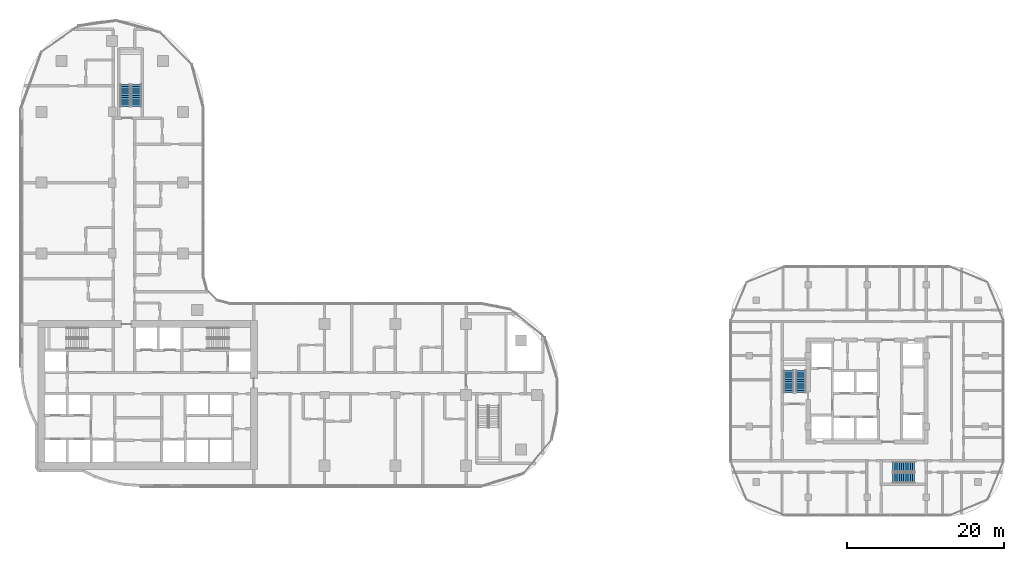
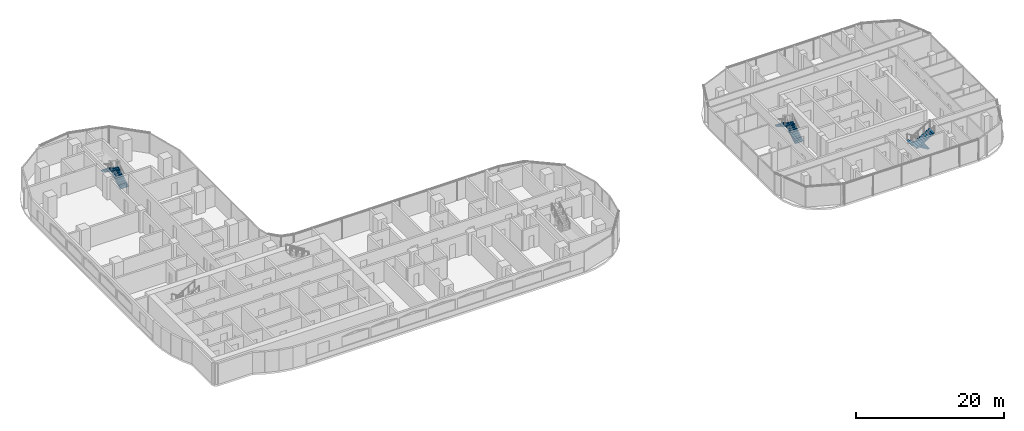
# One storey, part 27 of 34: 6 stair flights, 3 elements without a shape of their own.
"""IFC4 building model written with IfcOpenShell, lengths in metres."""

from ifc_helpers import new_model, si_unit, direction, frame, origin, place, context, subcontext, project, spatial, triangles, source, transform, mapped, material, type_object, element, aggregate, save


model = new_model("IFC4")

# Units and contexts
model_context = context("Model", 3, precision=1e-05, world=origin(), true_north=direction((0.0, 1.0)))
body_context = subcontext(model_context, "Body", "Model", "MODEL_VIEW")
ifc_project = project(units=[si_unit("LENGTHUNIT", "METRE"), si_unit("AREAUNIT", "SQUARE_METRE"), si_unit("VOLUMEUNIT", "CUBIC_METRE"), si_unit("PLANEANGLEUNIT", "RADIAN"), si_unit("MASSUNIT", "GRAM", prefix="KILO")], contexts=[model_context])

# Site, building, storey
site_placement = place(None, origin())
site = spatial("IfcSite", under=ifc_project, at=site_placement, CompositionType="ELEMENT")
building_placement = place(site_placement, origin())
building = spatial("IfcBuilding", under=site, at=building_placement, Name="Ogive Portal Towers", CompositionType="ELEMENT")
storey_placement = place(building_placement, frame((0.0, 0.0, 66.800048828125)))
storey = spatial("IfcBuildingStorey", under=building, at=storey_placement, Name="L15", CompositionType="ELEMENT", Elevation=66.800048828125)

# Stair, stair flights
ifc_material = material(Name="Concrete C40/50", Category="concrete")
stair_type = type_object("IfcStairType", Name="INT-STAIR", PredefinedType="HALF_TURN_STAIR", material=ifc_material)
stair_1_placement = place(storey_placement, origin())
stair_1 = element("IfcStair", 1, at=stair_1_placement, inside=storey, type_object=stair_type, Name="L15 Exit Stair ST-A3", PredefinedType="HALF_TURN_STAIR")
stair_flight_type = type_object("IfcStairFlightType", Name="INT-FLIGHT", PredefinedType="STRAIGHT", material=ifc_material)
shared_shape = source(origin(), body_context, "Body", "Tessellation", [
    triangles([(0.0, -0.650146484375, 0.0), (0.0, -0.376220703125, 0.0), (0.0, -0.192626953125, 0.0), (0.0, -0.081298828125, 0.0), (0.0, -0.024169921875, 0.0), (0.0, -0.003173828125, 0.0), (0.0, 0.0, 0.0), (0.0, 0.0029296875, 0.0), (0.0, 0.02392578125, 0.0), (0.0, 0.0810546875, 0.0), (0.0, 0.1923828125, 0.0), (0.0, 0.3759765625, 0.0), (0.0, 0.64990234375, 0.0), (0.0, -0.650146484375, 0.168212890625), (0.0, -0.376220703125, 0.168212890625), (0.0, -0.192626953125, 0.168212890625), (0.0, -0.081298828125, 0.168212890625), (0.0, -0.024169921875, 0.168212890625), (0.0, -0.003173828125, 0.168212890625), (0.0, 0.0, 0.168212890625), (0.0, 0.0029296875, 0.168212890625), (0.0, 0.02392578125, 0.168212890625), (0.0, 0.0810546875, 0.168212890625), (0.0, 0.1923828125, 0.168212890625), (0.0, 0.3759765625, 0.168212890625), (0.0, 0.64990234375, 0.168212890625), (0.280029296875, -0.650146484375, 0.168212890625), (0.280029296875, -0.376220703125, 0.168212890625), (0.280029296875, -0.192626953125, 0.168212890625), (0.280029296875, -0.081298828125, 0.168212890625), (0.280029296875, -0.024169921875, 0.168212890625), (0.280029296875, -0.003173828125, 0.168212890625), (0.280029296875, 0.0, 0.168212890625), (0.280029296875, 0.0029296875, 0.168212890625), (0.280029296875, 0.02392578125, 0.168212890625), (0.280029296875, 0.0810546875, 0.168212890625), (0.280029296875, 0.1923828125, 0.168212890625), (0.280029296875, 0.3759765625, 0.168212890625), (0.280029296875, 0.64990234375, 0.168212890625), (0.280029296875, -0.650146484375, 0.33642578125), (0.280029296875, -0.376220703125, 0.33642578125), (0.280029296875, -0.192626953125, 0.33642578125), (0.280029296875, -0.081298828125, 0.33642578125), (0.280029296875, -0.024169921875, 0.33642578125), (0.280029296875, -0.003173828125, 0.33642578125), (0.280029296875, 0.0, 0.33642578125), (0.280029296875, 0.0029296875, 0.33642578125), (0.280029296875, 0.02392578125, 0.33642578125), (0.280029296875, 0.0810546875, 0.33642578125), (0.280029296875, 0.1923828125, 0.33642578125), (0.280029296875, 0.3759765625, 0.33642578125), (0.280029296875, 0.64990234375, 0.33642578125), (0.56005859375, -0.650146484375, 0.33642578125), (0.56005859375, -0.376220703125, 0.33642578125), (0.56005859375, -0.192626953125, 0.33642578125), (0.56005859375, -0.081298828125, 0.33642578125), (0.56005859375, -0.024169921875, 0.33642578125), (0.56005859375, -0.003173828125, 0.33642578125), (0.56005859375, 0.0, 0.33642578125), (0.56005859375, 0.0029296875, 0.33642578125), (0.56005859375, 0.02392578125, 0.33642578125), (0.56005859375, 0.0810546875, 0.33642578125), (0.56005859375, 0.1923828125, 0.33642578125), (0.56005859375, 0.3759765625, 0.33642578125), (0.56005859375, 0.64990234375, 0.33642578125), (0.56005859375, -0.650146484375, 0.504638671875), (0.56005859375, -0.376220703125, 0.504638671875), (0.56005859375, -0.192626953125, 0.504638671875), (0.56005859375, -0.081298828125, 0.504638671875), (0.56005859375, -0.024169921875, 0.504638671875), (0.56005859375, -0.003173828125, 0.504638671875), (0.56005859375, 0.0, 0.504638671875), (0.56005859375, 0.0029296875, 0.504638671875), (0.56005859375, 0.02392578125, 0.504638671875), (0.56005859375, 0.0810546875, 0.504638671875), (0.56005859375, 0.1923828125, 0.504638671875), (0.56005859375, 0.3759765625, 0.504638671875), (0.56005859375, 0.64990234375, 0.504638671875), (0.840087890625, -0.650146484375, 0.504638671875), (0.840087890625, -0.376220703125, 0.504638671875), (0.840087890625, -0.192626953125, 0.504638671875), (0.840087890625, -0.081298828125, 0.504638671875), (0.840087890625, -0.024169921875, 0.504638671875), (0.840087890625, -0.003173828125, 0.504638671875), (0.840087890625, 0.0, 0.504638671875), (0.840087890625, 0.0029296875, 0.504638671875), (0.840087890625, 0.02392578125, 0.504638671875), (0.840087890625, 0.0810546875, 0.504638671875), (0.840087890625, 0.1923828125, 0.504638671875), (0.840087890625, 0.3759765625, 0.504638671875), (0.840087890625, 0.64990234375, 0.504638671875), (0.840087890625, -0.650146484375, 0.672607421875), (0.840087890625, -0.376220703125, 0.672607421875), (0.840087890625, -0.192626953125, 0.672607421875), (0.840087890625, -0.081298828125, 0.672607421875), (0.840087890625, -0.024169921875, 0.672607421875), (0.840087890625, -0.003173828125, 0.672607421875), (0.840087890625, 0.0, 0.672607421875), (0.840087890625, 0.0029296875, 0.672607421875), (0.840087890625, 0.02392578125, 0.672607421875), (0.840087890625, 0.0810546875, 0.672607421875), (0.840087890625, 0.1923828125, 0.672607421875), (0.840087890625, 0.3759765625, 0.672607421875), (0.840087890625, 0.64990234375, 0.672607421875), (1.1201171875, -0.650146484375, 0.672607421875), (1.1201171875, -0.376220703125, 0.672607421875), (1.1201171875, -0.192626953125, 0.672607421875), (1.1201171875, -0.081298828125, 0.672607421875), (1.1201171875, -0.024169921875, 0.672607421875), (1.1201171875, -0.003173828125, 0.672607421875), (1.1201171875, 0.0, 0.672607421875), (1.1201171875, 0.0029296875, 0.672607421875), (1.1201171875, 0.02392578125, 0.672607421875), (1.1201171875, 0.0810546875, 0.672607421875), (1.1201171875, 0.1923828125, 0.672607421875), (1.1201171875, 0.3759765625, 0.672607421875), (1.1201171875, 0.64990234375, 0.672607421875), (1.1201171875, -0.650146484375, 0.8408203125), (1.1201171875, -0.376220703125, 0.8408203125), (1.1201171875, -0.192626953125, 0.8408203125), (1.1201171875, -0.081298828125, 0.8408203125), (1.1201171875, -0.024169921875, 0.8408203125), (1.1201171875, -0.003173828125, 0.8408203125), (1.1201171875, 0.0, 0.8408203125), (1.1201171875, 0.0029296875, 0.8408203125), (1.1201171875, 0.02392578125, 0.8408203125), (1.1201171875, 0.0810546875, 0.8408203125), (1.1201171875, 0.1923828125, 0.8408203125), (1.1201171875, 0.3759765625, 0.8408203125), (1.1201171875, 0.64990234375, 0.8408203125), (1.39990234375, -0.650146484375, 0.8408203125), (1.39990234375, -0.376220703125, 0.8408203125), (1.39990234375, -0.192626953125, 0.8408203125), (1.39990234375, -0.081298828125, 0.8408203125), (1.39990234375, -0.024169921875, 0.8408203125), (1.39990234375, -0.003173828125, 0.8408203125), (1.39990234375, 0.0, 0.8408203125), (1.39990234375, 0.0029296875, 0.8408203125), (1.39990234375, 0.02392578125, 0.8408203125), (1.39990234375, 0.0810546875, 0.8408203125), (1.39990234375, 0.1923828125, 0.8408203125), (1.39990234375, 0.3759765625, 0.8408203125), (1.39990234375, 0.64990234375, 0.8408203125), (1.39990234375, -0.650146484375, 1.009033203125), (1.39990234375, -0.376220703125, 1.009033203125), (1.39990234375, -0.192626953125, 1.009033203125), (1.39990234375, -0.081298828125, 1.009033203125), (1.39990234375, -0.024169921875, 1.009033203125), (1.39990234375, -0.003173828125, 1.009033203125), (1.39990234375, 0.0, 1.009033203125), (1.39990234375, 0.0029296875, 1.009033203125), (1.39990234375, 0.02392578125, 1.009033203125), (1.39990234375, 0.0810546875, 1.009033203125), (1.39990234375, 0.1923828125, 1.009033203125), (1.39990234375, 0.3759765625, 1.009033203125), (1.39990234375, 0.64990234375, 1.009033203125), (1.679931640625, -0.650146484375, 1.009033203125), (1.679931640625, -0.376220703125, 1.009033203125), (1.679931640625, -0.192626953125, 1.009033203125), (1.679931640625, -0.081298828125, 1.009033203125), (1.679931640625, -0.024169921875, 1.009033203125), (1.679931640625, -0.003173828125, 1.009033203125), (1.679931640625, 0.0, 1.009033203125), (1.679931640625, 0.0029296875, 1.009033203125), (1.679931640625, 0.02392578125, 1.009033203125), (1.679931640625, 0.0810546875, 1.009033203125), (1.679931640625, 0.1923828125, 1.009033203125), (1.679931640625, 0.3759765625, 1.009033203125), (1.679931640625, 0.64990234375, 1.009033203125), (1.679931640625, -0.650146484375, 1.17724609375), (1.679931640625, -0.376220703125, 1.17724609375), (1.679931640625, -0.192626953125, 1.17724609375), (1.679931640625, -0.081298828125, 1.17724609375), (1.679931640625, -0.024169921875, 1.17724609375), (1.679931640625, -0.003173828125, 1.17724609375), (1.679931640625, 0.0, 1.17724609375), (1.679931640625, 0.0029296875, 1.17724609375), (1.679931640625, 0.02392578125, 1.17724609375), (1.679931640625, 0.0810546875, 1.17724609375), (1.679931640625, 0.1923828125, 1.17724609375), (1.679931640625, 0.3759765625, 1.17724609375), (1.679931640625, 0.64990234375, 1.17724609375), (1.9599609375, -0.650146484375, 1.17724609375), (1.9599609375, -0.376220703125, 1.17724609375), (1.9599609375, -0.192626953125, 1.17724609375), (1.9599609375, -0.081298828125, 1.17724609375), (1.9599609375, -0.024169921875, 1.17724609375), (1.9599609375, -0.003173828125, 1.17724609375), (1.9599609375, 0.0, 1.17724609375), (1.9599609375, 0.0029296875, 1.17724609375), (1.9599609375, 0.02392578125, 1.17724609375), (1.9599609375, 0.0810546875, 1.17724609375), (1.9599609375, 0.1923828125, 1.17724609375), (1.9599609375, 0.3759765625, 1.17724609375), (1.9599609375, 0.64990234375, 1.17724609375), (1.9599609375, -0.650146484375, 1.345458984375), (1.9599609375, -0.376220703125, 1.345458984375), (1.9599609375, -0.192626953125, 1.345458984375), (1.9599609375, -0.081298828125, 1.345458984375), (1.9599609375, -0.024169921875, 1.345458984375), (1.9599609375, -0.003173828125, 1.345458984375), (1.9599609375, 0.0, 1.345458984375), (1.9599609375, 0.0029296875, 1.345458984375), (1.9599609375, 0.02392578125, 1.345458984375), (1.9599609375, 0.0810546875, 1.345458984375), (1.9599609375, 0.1923828125, 1.345458984375), (1.9599609375, 0.3759765625, 1.345458984375), (1.9599609375, 0.64990234375, 1.345458984375), (2.239990234375, -0.650146484375, 1.345458984375), (2.239990234375, -0.376220703125, 1.345458984375), (2.239990234375, -0.192626953125, 1.345458984375), (2.239990234375, -0.081298828125, 1.345458984375), (2.239990234375, -0.024169921875, 1.345458984375), (2.239990234375, -0.003173828125, 1.345458984375), (2.239990234375, 0.0, 1.345458984375), (2.239990234375, 0.0029296875, 1.345458984375), (2.239990234375, 0.02392578125, 1.345458984375), (2.239990234375, 0.0810546875, 1.345458984375), (2.239990234375, 0.1923828125, 1.345458984375), (2.239990234375, 0.3759765625, 1.345458984375), (2.239990234375, 0.64990234375, 1.345458984375), (2.239990234375, -0.650146484375, 1.513671875), (2.239990234375, -0.376220703125, 1.513671875), (2.239990234375, -0.192626953125, 1.513671875), (2.239990234375, -0.081298828125, 1.513671875), (2.239990234375, -0.024169921875, 1.513671875), (2.239990234375, -0.003173828125, 1.513671875), (2.239990234375, 0.0, 1.513671875), (2.239990234375, 0.0029296875, 1.513671875), (2.239990234375, 0.02392578125, 1.513671875), (2.239990234375, 0.0810546875, 1.513671875), (2.239990234375, 0.1923828125, 1.513671875), (2.239990234375, 0.3759765625, 1.513671875), (2.239990234375, 0.64990234375, 1.513671875), (2.52001953125, -0.650146484375, 1.513671875), (2.52001953125, -0.376220703125, 1.513671875), (2.52001953125, -0.192626953125, 1.513671875), (2.52001953125, -0.081298828125, 1.513671875), (2.52001953125, -0.024169921875, 1.513671875), (2.52001953125, -0.003173828125, 1.513671875), (2.52001953125, 0.0, 1.513671875), (2.52001953125, 0.0029296875, 1.513671875), (2.52001953125, 0.02392578125, 1.513671875), (2.52001953125, 0.0810546875, 1.513671875), (2.52001953125, 0.1923828125, 1.513671875), (2.52001953125, 0.3759765625, 1.513671875), (2.52001953125, 0.64990234375, 1.513671875), (2.52001953125, -0.650146484375, 1.681884765625), (2.52001953125, -0.376220703125, 1.681884765625), (2.52001953125, -0.192626953125, 1.681884765625), (2.52001953125, -0.081298828125, 1.681884765625), (2.52001953125, -0.024169921875, 1.681884765625), (2.52001953125, -0.003173828125, 1.681884765625), (2.52001953125, 0.0, 1.681884765625), (2.52001953125, 0.0029296875, 1.681884765625), (2.52001953125, 0.02392578125, 1.681884765625), (2.52001953125, 0.0810546875, 1.681884765625), (2.52001953125, 0.1923828125, 1.681884765625), (2.52001953125, 0.3759765625, 1.681884765625), (2.52001953125, 0.64990234375, 1.681884765625), (2.800048828125, -0.650146484375, 1.681884765625), (2.800048828125, -0.376220703125, 1.681884765625), (2.800048828125, -0.192626953125, 1.681884765625), (2.800048828125, -0.081298828125, 1.681884765625), (2.800048828125, -0.024169921875, 1.681884765625), (2.800048828125, -0.003173828125, 1.681884765625), (2.800048828125, 0.0, 1.681884765625), (2.800048828125, 0.0029296875, 1.681884765625), (2.800048828125, 0.02392578125, 1.681884765625), (2.800048828125, 0.0810546875, 1.681884765625), (2.800048828125, 0.1923828125, 1.681884765625), (2.800048828125, 0.3759765625, 1.681884765625), (2.800048828125, 0.64990234375, 1.681884765625), (2.800048828125, -0.650146484375, 1.5068359375), (2.800048828125, -0.376220703125, 1.5068359375), (2.800048828125, -0.192626953125, 1.5068359375), (2.800048828125, -0.081298828125, 1.5068359375), (2.800048828125, -0.024169921875, 1.5068359375), (2.800048828125, -0.003173828125, 1.5068359375), (2.800048828125, 0.0, 1.5068359375), (2.800048828125, 0.0029296875, 1.5068359375), (2.800048828125, 0.02392578125, 1.5068359375), (2.800048828125, 0.0810546875, 1.5068359375), (2.800048828125, 0.1923828125, 1.5068359375), (2.800048828125, 0.3759765625, 1.5068359375), (2.800048828125, 0.64990234375, 1.5068359375), (0.291015625, -0.650146484375, 0.0), (0.291015625, -0.376220703125, 0.0), (0.291015625, -0.192626953125, 0.0), (0.291015625, -0.081298828125, 0.0), (0.291015625, -0.024169921875, 0.0), (0.291015625, -0.003173828125, 0.0), (0.291015625, 0.0, 0.0), (0.291015625, 0.0029296875, 0.0), (0.291015625, 0.02392578125, 0.0), (0.291015625, 0.0810546875, 0.0), (0.291015625, 0.1923828125, 0.0), (0.291015625, 0.3759765625, 0.0), (0.291015625, 0.64990234375, 0.0)], [[1, 14, 15], [1, 15, 2], [2, 15, 16], [2, 16, 3], [3, 16, 17], [3, 17, 4], [4, 17, 18], [4, 18, 5], [5, 18, 19], [5, 19, 6], [6, 19, 20], [6, 20, 7], [7, 20, 21], [7, 21, 8], [8, 21, 22], [8, 22, 9], [9, 22, 23], [9, 23, 10], [10, 23, 24], [10, 24, 11], [11, 24, 25], [11, 25, 12], [12, 25, 26], [12, 26, 13], [14, 27, 28], [14, 28, 15], [15, 28, 29], [15, 29, 16], [16, 29, 30], [16, 30, 17], [17, 30, 31], [17, 31, 18], [18, 31, 32], [18, 32, 19], [19, 32, 33], [19, 33, 20], [20, 33, 34], [20, 34, 21], [21, 34, 35], [21, 35, 22], [22, 35, 36], [22, 36, 23], [23, 36, 37], [23, 37, 24], [24, 37, 38], [24, 38, 25], [25, 38, 39], [25, 39, 26], [27, 40, 41], [27, 41, 28], [28, 41, 42], [28, 42, 29], [29, 42, 43], [29, 43, 30], [30, 43, 44], [30, 44, 31], [31, 44, 45], [31, 45, 32], [32, 45, 46], [32, 46, 33], [33, 46, 47], [33, 47, 34], [34, 47, 48], [34, 48, 35], [35, 48, 49], [35, 49, 36], [36, 49, 50], [36, 50, 37], [37, 50, 51], [37, 51, 38], [38, 51, 52], [38, 52, 39], [40, 53, 54], [40, 54, 41], [41, 54, 55], [41, 55, 42], [42, 55, 56], [42, 56, 43], [43, 56, 57], [43, 57, 44], [44, 57, 58], [44, 58, 45], [45, 58, 59], [45, 59, 46], [46, 59, 60], [46, 60, 47], [47, 60, 61], [47, 61, 48], [48, 61, 62], [48, 62, 49], [49, 62, 63], [49, 63, 50], [50, 63, 64], [50, 64, 51], [51, 64, 65], [51, 65, 52], [53, 66, 67], [53, 67, 54], [54, 67, 68], [54, 68, 55], [55, 68, 69], [55, 69, 56], [56, 69, 70], [56, 70, 57], [57, 70, 71], [57, 71, 58], [58, 71, 72], [58, 72, 59], [59, 72, 73], [59, 73, 60], [60, 73, 74], [60, 74, 61], [61, 74, 75], [61, 75, 62], [62, 75, 76], [62, 76, 63], [63, 76, 77], [63, 77, 64], [64, 77, 78], [64, 78, 65], [66, 79, 80], [66, 80, 67], [67, 80, 81], [67, 81, 68], [68, 81, 82], [68, 82, 69], [69, 82, 83], [69, 83, 70], [70, 83, 84], [70, 84, 71], [71, 84, 85], [71, 85, 72], [72, 85, 86], [72, 86, 73], [73, 86, 87], [73, 87, 74], [74, 87, 88], [74, 88, 75], [75, 88, 89], [75, 89, 76], [76, 89, 90], [76, 90, 77], [77, 90, 91], [77, 91, 78], [79, 92, 93], [79, 93, 80], [80, 93, 94], [80, 94, 81], [81, 94, 95], [81, 95, 82], [82, 95, 96], [82, 96, 83], [83, 96, 97], [83, 97, 84], [84, 97, 98], [84, 98, 85], [85, 98, 99], [85, 99, 86], [86, 99, 100], [86, 100, 87], [87, 100, 101], [87, 101, 88], [88, 101, 102], [88, 102, 89], [89, 102, 103], [89, 103, 90], [90, 103, 104], [90, 104, 91], [92, 105, 106], [92, 106, 93], [93, 106, 107], [93, 107, 94], [94, 107, 108], [94, 108, 95], [95, 108, 109], [95, 109, 96], [96, 109, 110], [96, 110, 97], [97, 110, 111], [97, 111, 98], [98, 111, 112], [98, 112, 99], [99, 112, 113], [99, 113, 100], [100, 113, 114], [100, 114, 101], [101, 114, 115], [101, 115, 102], [102, 115, 116], [102, 116, 103], [103, 116, 117], [103, 117, 104], [105, 118, 119], [105, 119, 106], [106, 119, 120], [106, 120, 107], [107, 120, 121], [107, 121, 108], [108, 121, 122], [108, 122, 109], [109, 122, 123], [109, 123, 110], [110, 123, 124], [110, 124, 111], [111, 124, 125], [111, 125, 112], [112, 125, 126], [112, 126, 113], [113, 126, 127], [113, 127, 114], [114, 127, 128], [114, 128, 115], [115, 128, 129], [115, 129, 116], [116, 129, 130], [116, 130, 117], [118, 131, 132], [118, 132, 119], [119, 132, 133], [119, 133, 120], [120, 133, 134], [120, 134, 121], [121, 134, 135], [121, 135, 122], [122, 135, 136], [122, 136, 123], [123, 136, 137], [123, 137, 124], [124, 137, 138], [124, 138, 125], [125, 138, 139], [125, 139, 126], [126, 139, 140], [126, 140, 127], [127, 140, 141], [127, 141, 128], [128, 141, 142], [128, 142, 129], [129, 142, 143], [129, 143, 130], [131, 144, 145], [131, 145, 132], [132, 145, 146], [132, 146, 133], [133, 146, 147], [133, 147, 134], [134, 147, 148], [134, 148, 135], [135, 148, 149], [135, 149, 136], [136, 149, 150], [136, 150, 137], [137, 150, 151], [137, 151, 138], [138, 151, 152], [138, 152, 139], [139, 152, 153], [139, 153, 140], [140, 153, 154], [140, 154, 141], [141, 154, 155], [141, 155, 142], [142, 155, 156], [142, 156, 143], [144, 157, 158], [144, 158, 145], [145, 158, 159], [145, 159, 146], [146, 159, 160], [146, 160, 147], [147, 160, 161], [147, 161, 148], [148, 161, 162], [148, 162, 149], [149, 162, 163], [149, 163, 150], [150, 163, 164], [150, 164, 151], [151, 164, 165], [151, 165, 152], [152, 165, 166], [152, 166, 153], [153, 166, 167], [153, 167, 154], [154, 167, 168], [154, 168, 155], [155, 168, 169], [155, 169, 156], [157, 170, 171], [157, 171, 158], [158, 171, 172], [158, 172, 159], [159, 172, 173], [159, 173, 160], [160, 173, 174], [160, 174, 161], [161, 174, 175], [161, 175, 162], [162, 175, 176], [162, 176, 163], [163, 176, 177], [163, 177, 164], [164, 177, 178], [164, 178, 165], [165, 178, 179], [165, 179, 166], [166, 179, 180], [166, 180, 167], [167, 180, 181], [167, 181, 168], [168, 181, 182], [168, 182, 169], [170, 183, 184], [170, 184, 171], [171, 184, 185], [171, 185, 172], [172, 185, 186], [172, 186, 173], [173, 186, 187], [173, 187, 174], [174, 187, 188], [174, 188, 175], [175, 188, 189], [175, 189, 176], [176, 189, 190], [176, 190, 177], [177, 190, 191], [177, 191, 178], [178, 191, 192], [178, 192, 179], [179, 192, 193], [179, 193, 180], [180, 193, 194], [180, 194, 181], [181, 194, 195], [181, 195, 182], [183, 196, 197], [183, 197, 184], [184, 197, 198], [184, 198, 185], [185, 198, 199], [185, 199, 186], [186, 199, 200], [186, 200, 187], [187, 200, 201], [187, 201, 188], [188, 201, 202], [188, 202, 189], [189, 202, 203], [189, 203, 190], [190, 203, 204], [190, 204, 191], [191, 204, 205], [191, 205, 192], [192, 205, 206], [192, 206, 193], [193, 206, 207], [193, 207, 194], [194, 207, 208], [194, 208, 195], [196, 209, 210], [196, 210, 197], [197, 210, 211], [197, 211, 198], [198, 211, 212], [198, 212, 199], [199, 212, 213], [199, 213, 200], [200, 213, 214], [200, 214, 201], [201, 214, 215], [201, 215, 202], [202, 215, 216], [202, 216, 203], [203, 216, 217], [203, 217, 204], [204, 217, 218], [204, 218, 205], [205, 218, 219], [205, 219, 206], [206, 219, 220], [206, 220, 207], [207, 220, 221], [207, 221, 208], [209, 222, 223], [209, 223, 210], [210, 223, 224], [210, 224, 211], [211, 224, 225], [211, 225, 212], [212, 225, 226], [212, 226, 213], [213, 226, 227], [213, 227, 214], [214, 227, 228], [214, 228, 215], [215, 228, 229], [215, 229, 216], [216, 229, 230], [216, 230, 217], [217, 230, 231], [217, 231, 218], [218, 231, 232], [218, 232, 219], [219, 232, 233], [219, 233, 220], [220, 233, 234], [220, 234, 221], [222, 235, 236], [222, 236, 223], [223, 236, 237], [223, 237, 224], [224, 237, 238], [224, 238, 225], [225, 238, 239], [225, 239, 226], [226, 239, 240], [226, 240, 227], [227, 240, 241], [227, 241, 228], [228, 241, 242], [228, 242, 229], [229, 242, 243], [229, 243, 230], [230, 243, 244], [230, 244, 231], [231, 244, 245], [231, 245, 232], [232, 245, 246], [232, 246, 233], [233, 246, 247], [233, 247, 234], [235, 248, 249], [235, 249, 236], [236, 249, 250], [236, 250, 237], [237, 250, 251], [237, 251, 238], [238, 251, 252], [238, 252, 239], [239, 252, 253], [239, 253, 240], [240, 253, 254], [240, 254, 241], [241, 254, 255], [241, 255, 242], [242, 255, 256], [242, 256, 243], [243, 256, 257], [243, 257, 244], [244, 257, 258], [244, 258, 245], [245, 258, 259], [245, 259, 246], [246, 259, 260], [246, 260, 247], [248, 261, 262], [248, 262, 249], [249, 262, 263], [249, 263, 250], [250, 263, 264], [250, 264, 251], [251, 264, 265], [251, 265, 252], [252, 265, 266], [252, 266, 253], [253, 266, 267], [253, 267, 254], [254, 267, 268], [254, 268, 255], [255, 268, 269], [255, 269, 256], [256, 269, 270], [256, 270, 257], [257, 270, 271], [257, 271, 258], [258, 271, 272], [258, 272, 259], [259, 272, 273], [259, 273, 260], [261, 274, 275], [261, 275, 262], [262, 275, 276], [262, 276, 263], [263, 276, 277], [263, 277, 264], [264, 277, 278], [264, 278, 265], [265, 278, 279], [265, 279, 266], [266, 279, 280], [266, 280, 267], [267, 280, 281], [267, 281, 268], [268, 281, 282], [268, 282, 269], [269, 282, 283], [269, 283, 270], [270, 283, 284], [270, 284, 271], [271, 284, 285], [271, 285, 272], [272, 285, 286], [272, 286, 273], [274, 287, 288], [274, 288, 275], [275, 288, 289], [275, 289, 276], [276, 289, 290], [276, 290, 277], [277, 290, 291], [277, 291, 278], [278, 291, 292], [278, 292, 279], [279, 292, 293], [279, 293, 280], [280, 293, 294], [280, 294, 281], [281, 294, 295], [281, 295, 282], [282, 295, 296], [282, 296, 283], [283, 296, 297], [283, 297, 284], [284, 297, 298], [284, 298, 285], [285, 298, 299], [285, 299, 286], [287, 1, 2], [287, 2, 288], [288, 2, 3], [288, 3, 289], [289, 3, 4], [289, 4, 290], [290, 4, 5], [290, 5, 291], [291, 5, 6], [291, 6, 292], [292, 6, 7], [292, 7, 293], [293, 7, 8], [293, 8, 294], [294, 8, 9], [294, 9, 295], [295, 9, 10], [295, 10, 296], [296, 10, 11], [296, 11, 297], [297, 11, 12], [297, 12, 298], [298, 12, 13], [298, 13, 299], [1, 287, 274], [13, 286, 299], [274, 261, 248], [286, 260, 273], [274, 248, 235], [286, 247, 260], [274, 235, 222], [286, 234, 247], [274, 222, 209], [286, 221, 234], [209, 196, 183], [221, 195, 208], [274, 209, 183], [286, 195, 221], [183, 170, 157], [195, 169, 182], [274, 183, 157], [286, 169, 195], [157, 144, 131], [169, 143, 156], [274, 157, 131], [286, 143, 169], [131, 118, 105], [143, 117, 130], [274, 131, 105], [286, 117, 143], [1, 274, 105], [13, 117, 286], [105, 92, 79], [117, 91, 104], [79, 66, 53], [91, 65, 78], [105, 79, 53], [117, 65, 91], [53, 40, 27], [65, 39, 52], [105, 53, 27], [117, 39, 65], [1, 105, 27], [13, 39, 117], [27, 14, 1], [39, 13, 26]], closed=True),
])
stair_flight_1_placement = place(storey_placement, frame((43.550048828125, 67.199951171875, 0.0), z_axis=(0.0, 0.0, 1.0), x_axis=(0.0, 1.0, 0.0)))
stair_flight_1 = element("IfcStairFlight", 2, at=stair_flight_1_placement, type_object=stair_flight_type, Name="ST-A3 flight 1", NumberOfRisers=11, NumberOfTreads=10, PredefinedType="STRAIGHT", RiserHeight=0.168181818, TreadLength=0.28, context=body_context, shape_type="MappedRepresentation", body=[
    mapped(shared_shape, transform((0.0, 0.0, 0.0), scale=1.0)),
])
stair_flight_2_placement = place(storey_placement, frame((42.14990234375, 70.0, 1.849853515625), z_axis=(0.0, 0.0, 1.0), x_axis=(0.0, -1.0, 0.0)))
stair_flight_2 = element("IfcStairFlight", 3, at=stair_flight_2_placement, type_object=stair_flight_type, Name="ST-A3 flight 2", NumberOfRisers=11, NumberOfTreads=10, PredefinedType="STRAIGHT", RiserHeight=0.168181818, TreadLength=0.28, context=body_context, shape_type="MappedRepresentation", body=[
    mapped(shared_shape, transform((0.0, 0.0, 0.0), scale=1.0)),
])
aggregate(stair_1, [stair_flight_1, stair_flight_2])

stair_2_placement = place(storey_placement, origin())
stair_2 = element("IfcStair", 4, at=stair_2_placement, inside=storey, type_object=stair_type, Name="L15 Exit Stair ST-B1", PredefinedType="HALF_TURN_STAIR")
stair_flight_3_placement = place(storey_placement, frame((128.050048828125, 30.800048828125, 0.0), z_axis=(0.0, 0.0, 1.0), x_axis=(0.0, 1.0, 0.0)))
stair_flight_3 = element("IfcStairFlight", 5, at=stair_flight_3_placement, type_object=stair_flight_type, Name="ST-B1 flight 1", NumberOfRisers=11, NumberOfTreads=10, PredefinedType="STRAIGHT", RiserHeight=0.168181818, TreadLength=0.28, context=body_context, shape_type="MappedRepresentation", body=[
    mapped(shared_shape, transform((0.0, 0.0, 0.0), scale=1.0)),
])
stair_flight_4_placement = place(storey_placement, frame((126.5, 33.60009765625, 1.849853515625), z_axis=(0.0, 0.0, 1.0), x_axis=(0.0, -1.0, 0.0)))
stair_flight_4 = element("IfcStairFlight", 6, at=stair_flight_4_placement, type_object=stair_flight_type, Name="ST-B1 flight 2", NumberOfRisers=11, NumberOfTreads=10, PredefinedType="STRAIGHT", RiserHeight=0.168181818, TreadLength=0.28, context=body_context, shape_type="MappedRepresentation", body=[
    mapped(shared_shape, transform((0.0, 0.0, 0.0), scale=1.0)),
])
aggregate(stair_2, [stair_flight_3, stair_flight_4])

stair_3_placement = place(storey_placement, origin())
stair_3 = element("IfcStair", 7, at=stair_3_placement, inside=storey, type_object=stair_type, Name="L15 Exit Stair ST-B2", PredefinedType="HALF_TURN_STAIR")
stair_flight_5_placement = place(storey_placement, frame((142.550048828125, 21.35009765625, 0.0), z_axis=(0.0, 0.0, 1.0), x_axis=(-1.0, 0.0, 0.0)))
stair_flight_5 = element("IfcStairFlight", 8, at=stair_flight_5_placement, type_object=stair_flight_type, Name="ST-B2 flight 1", NumberOfRisers=11, NumberOfTreads=10, PredefinedType="STRAIGHT", RiserHeight=0.168181818, TreadLength=0.28, context=body_context, shape_type="MappedRepresentation", body=[
    mapped(shared_shape, transform((0.0, 0.0, 0.0), scale=1.0)),
])
stair_flight_6_placement = place(storey_placement, frame((139.75, 19.949951171875, 1.849853515625), z_axis=(0.0, 0.0, 1.0), x_axis=(1.0, 0.0, 0.0)))
stair_flight_6 = element("IfcStairFlight", 9, at=stair_flight_6_placement, type_object=stair_flight_type, Name="ST-B2 flight 2", NumberOfRisers=11, NumberOfTreads=10, PredefinedType="STRAIGHT", RiserHeight=0.168181818, TreadLength=0.28, context=body_context, shape_type="MappedRepresentation", body=[
    mapped(shared_shape, transform((0.0, 0.0, 0.0), scale=1.0)),
])
aggregate(stair_3, [stair_flight_5, stair_flight_6])

save(model, "model.ifc")
